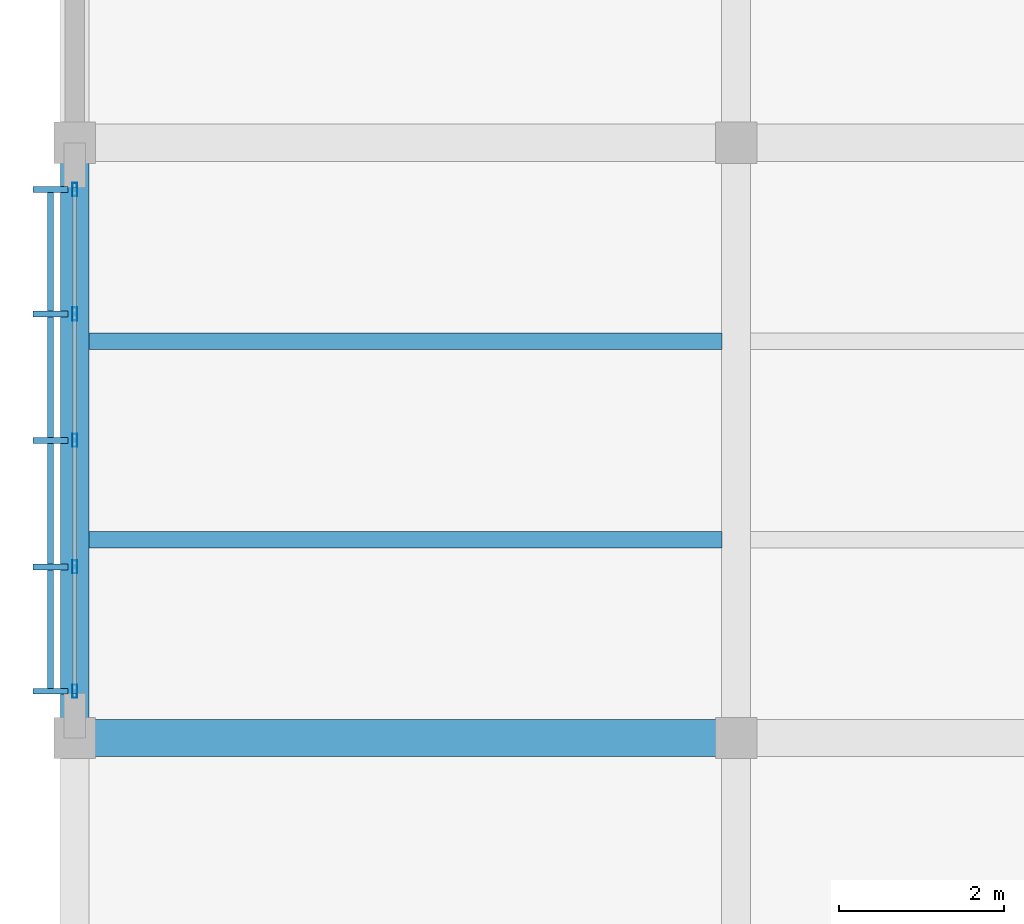
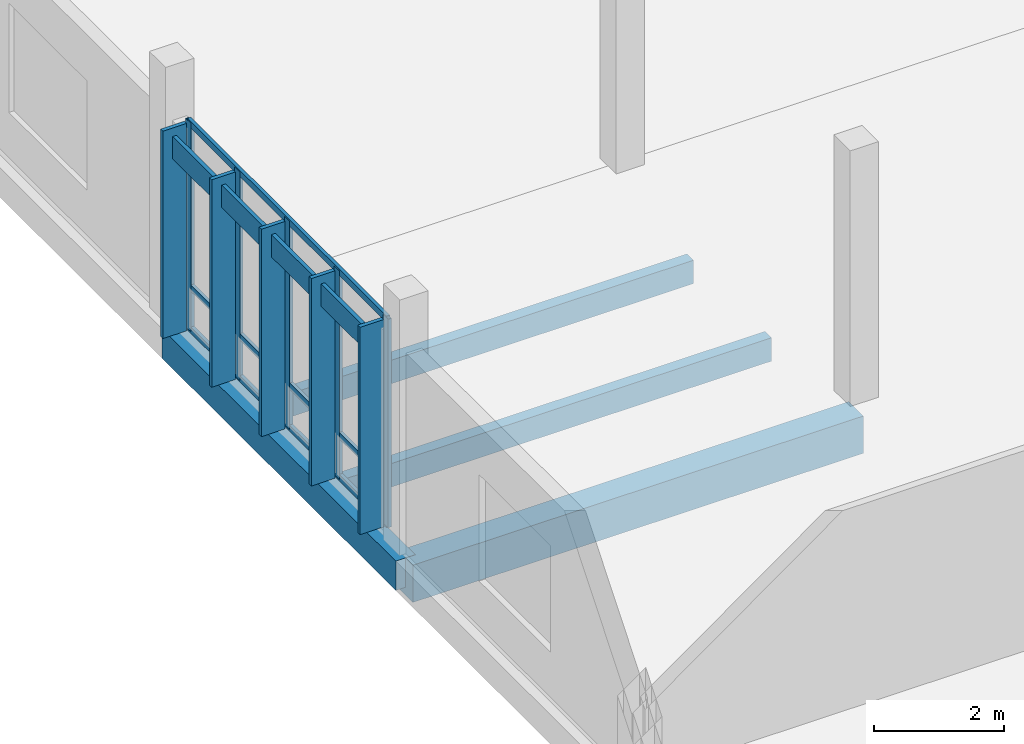
# One storey, part 61 of 177: 14 members, 4 beams, 1 element without a shape of its own.
"""IFC4 building model written with IfcOpenShell, lengths in metres."""

from ifc_helpers import new_model, si_unit, direction, frame, origin, origin_2d, place, context, subcontext, project, spatial, rectangle, hollow_rectangle, extrude, material, material_profile, profile_set, type_object, element, aggregate, save


model = new_model("IFC4")

# Units and contexts
model_context = context("Model", 3, precision=1e-05, world=origin(), true_north=direction((0.0, 1.0)))
body_context = subcontext(model_context, "Body", "Model", "MODEL_VIEW")
ifc_project = project(units=[si_unit("LENGTHUNIT", "METRE"), si_unit("AREAUNIT", "SQUARE_METRE"), si_unit("VOLUMEUNIT", "CUBIC_METRE"), si_unit("PLANEANGLEUNIT", "RADIAN"), si_unit("MASSUNIT", "GRAM", prefix="KILO")], contexts=[model_context])

# Site, building, storey
site_placement = place(None, origin())
site = spatial("IfcSite", under=ifc_project, at=site_placement, CompositionType="ELEMENT")
building_placement = place(site_placement, origin())
building = spatial("IfcBuilding", under=site, at=building_placement, Name="Chiffa Square Polytechnic", CompositionType="ELEMENT")
storey_placement = place(building_placement, frame((0.0, 0.0, 4.800048828125)))
storey = spatial("IfcBuildingStorey", under=building, at=storey_placement, Name="L01", CompositionType="ELEMENT", Elevation=4.800048828125)

# Beams
ifc_material_1 = material(Name="Concrete C35/45", Category="concrete")
ifc_material_profile_1 = material_profile(ifc_material_1, rectangle(XDim=0.35009765625, YDim=0.550048828125, at=origin_2d()), Name="RC 350x550")
ifc_profile_set_1 = profile_set([ifc_material_profile_1], Name="Concrete C35/45")
beam_type_1 = type_object("IfcBeamType", Name="BM-RC-350X550", PredefinedType="BEAM", material=ifc_profile_set_1)
beam_1_placement = place(storey_placement, frame((0.0, 72.60009765625, -0.554931640625), z_axis=(0.0, 1.0, 0.0), x_axis=(-1.0, 0.0, 0.0)))
element("IfcBeam", 1, at=beam_1_placement, inside=storey, type_object=beam_type_1, Name="Primary floor girder BM-V6-L01-Y-0000-0726", PredefinedType="BEAM", context=body_context, shape_type="SweptSolid", body=[
    extrude(rectangle(XDim=0.35009765625, YDim=0.550048828125, at=origin_2d()), origin(), (0.0, 0.0, 1.0), 7.199951171875),
])
ifc_material_profile_2 = material_profile(ifc_material_1, rectangle(XDim=0.449951171875, YDim=0.699951171875, at=origin_2d()), Name="RC 450x700")
ifc_profile_set_2 = profile_set([ifc_material_profile_2], Name="Concrete C35/45")
beam_type_2 = type_object("IfcBeamType", Name="BM-RC-450X700", PredefinedType="BEAM", material=ifc_profile_set_2)
beam_2_placement = place(storey_placement, frame((0.0, 72.60009765625, -0.630126953125), z_axis=(1.0, 0.0, 0.0), x_axis=(0.0, 1.0, 0.0)))
element("IfcBeam", 2, at=beam_2_placement, inside=storey, type_object=beam_type_2, Name="Primary floor girder BM-V6-L01-X-0000-0726", PredefinedType="BEAM", context=body_context, shape_type="SweptSolid", body=[
    extrude(rectangle(XDim=0.449951171875, YDim=0.699951171875, at=origin_2d()), origin(), (0.0, 0.0, 1.0), 8.0),
])

# Curtain wall, members
ifc_material_2 = material(Name="Aluminium EN AW-6060 T66 and glulam shading", Category="wood")
curtain_wall_type = type_object("IfcCurtainWallType", Name="CW-VERT-600X380", PredefinedType="USERDEFINED", material=ifc_material_2)
curtain_wall_placement = place(storey_placement, origin())
curtain_wall = element("IfcCurtainWall", 3, at=curtain_wall_placement, inside=storey, type_object=curtain_wall_type, Name="Curtain wall CW-V6-L01-260", ObjectType="CURTAIN WALL", PredefinedType="USERDEFINED")
ifc_material_3 = material(Name="Aluminium EN AW-6060 T66", Category="aluminium")
ifc_material_profile_3 = material_profile(ifc_material_3, hollow_rectangle(XDim=0.06005859375, YDim=0.159912109375, WallThickness=0.00390625, at=origin_2d()), Name="ALU 60x160x4")
ifc_profile_set_3 = profile_set([ifc_material_profile_3], Name="Aluminium EN AW-6060 T66")
member_type_1 = type_object("IfcMemberType", Name="CWM-ALU-65X150", PredefinedType="MULLION", material=ifc_profile_set_3)
member_1_placement = place(storey_placement, frame((0.0, 79.235107421875, 0.0), z_axis=(0.0, 0.0, 1.0), x_axis=(1.0, 0.0, 0.0)))
member_1 = element("IfcMember", 4, at=member_1_placement, type_object=member_type_1, Name="Curtain wall mullion CW-V6-L01-260-M00", PredefinedType="MULLION", context=body_context, shape_type="SweptSolid", body=[
    extrude(hollow_rectangle(XDim=0.06005859375, YDim=0.159912109375, WallThickness=0.00390625, at=origin_2d()), origin(), (0.0, 0.0, 1.0), 3.9150390625),
])
member_2_placement = place(storey_placement, frame((0.0, 77.72998046875, 0.0), z_axis=(0.0, 0.0, 1.0), x_axis=(1.0, 0.0, 0.0)))
member_2 = element("IfcMember", 5, at=member_2_placement, type_object=member_type_1, Name="Curtain wall mullion CW-V6-L01-260-M01", PredefinedType="MULLION", context=body_context, shape_type="SweptSolid", body=[
    extrude(hollow_rectangle(XDim=0.06005859375, YDim=0.159912109375, WallThickness=0.00390625, at=origin_2d()), origin(), (0.0, 0.0, 1.0), 3.9150390625),
])
member_3_placement = place(storey_placement, frame((0.0, 76.199951171875, 0.0), z_axis=(0.0, 0.0, 1.0), x_axis=(1.0, 0.0, 0.0)))
member_3 = element("IfcMember", 6, at=member_3_placement, type_object=member_type_1, Name="Curtain wall mullion CW-V6-L01-260-M02", PredefinedType="MULLION", context=body_context, shape_type="SweptSolid", body=[
    extrude(hollow_rectangle(XDim=0.06005859375, YDim=0.159912109375, WallThickness=0.00390625, at=origin_2d()), origin(), (0.0, 0.0, 1.0), 3.9150390625),
])
member_4_placement = place(storey_placement, frame((0.0, 74.669921875, 0.0), z_axis=(0.0, 0.0, 1.0), x_axis=(1.0, 0.0, 0.0)))
member_4 = element("IfcMember", 7, at=member_4_placement, type_object=member_type_1, Name="Curtain wall mullion CW-V6-L01-260-M03", PredefinedType="MULLION", context=body_context, shape_type="SweptSolid", body=[
    extrude(hollow_rectangle(XDim=0.06005859375, YDim=0.159912109375, WallThickness=0.00390625, at=origin_2d()), origin(), (0.0, 0.0, 1.0), 3.9150390625),
])
member_5_placement = place(storey_placement, frame((0.0, 73.1650390625, 0.0), z_axis=(0.0, 0.0, 1.0), x_axis=(1.0, 0.0, 0.0)))
member_5 = element("IfcMember", 8, at=member_5_placement, type_object=member_type_1, Name="Curtain wall mullion CW-V6-L01-260-M04", PredefinedType="MULLION", context=body_context, shape_type="SweptSolid", body=[
    extrude(hollow_rectangle(XDim=0.06005859375, YDim=0.159912109375, WallThickness=0.00390625, at=origin_2d()), origin(), (0.0, 0.0, 1.0), 3.9150390625),
])
ifc_material_4 = material(Name="Glulam GL28h", Category="wood")
ifc_material_profile_4 = material_profile(ifc_material_4, rectangle(XDim=0.070068359375, YDim=0.419921875, at=origin_2d()), Name="GL28h 70x420")
ifc_profile_set_4 = profile_set([ifc_material_profile_4], Name="Glulam GL28h")
member_type_2 = type_object("IfcMemberType", Name="CWM-GL-70X420", PredefinedType="MULLION", material=ifc_profile_set_4)
member_6_placement = place(storey_placement, frame((-0.2919921875, 79.235107421875, 0.010009765625), z_axis=(0.0, 0.0, 1.0), x_axis=(0.0, -1.0, 0.0)))
member_6 = element("IfcMember", 9, at=member_6_placement, type_object=member_type_2, Name="Exterior glulam solar fin CW-V6-L01-260-FN00", PredefinedType="MULLION", context=body_context, shape_type="SweptSolid", body=[
    extrude(rectangle(XDim=0.070068359375, YDim=0.419921875, at=origin_2d()), origin(), (0.0, 0.0, 1.0), 3.89501953125),
])
member_7_placement = place(storey_placement, frame((-0.2919921875, 77.72998046875, 0.010009765625), z_axis=(0.0, 0.0, 1.0), x_axis=(0.0, -1.0, 0.0)))
member_7 = element("IfcMember", 10, at=member_7_placement, type_object=member_type_2, Name="Exterior glulam solar fin CW-V6-L01-260-FN01", PredefinedType="MULLION", context=body_context, shape_type="SweptSolid", body=[
    extrude(rectangle(XDim=0.070068359375, YDim=0.419921875, at=origin_2d()), origin(), (0.0, 0.0, 1.0), 3.89501953125),
])
member_8_placement = place(storey_placement, frame((-0.2919921875, 76.199951171875, 0.010009765625), z_axis=(0.0, 0.0, 1.0), x_axis=(0.0, -1.0, 0.0)))
member_8 = element("IfcMember", 11, at=member_8_placement, type_object=member_type_2, Name="Exterior glulam solar fin CW-V6-L01-260-FN02", PredefinedType="MULLION", context=body_context, shape_type="SweptSolid", body=[
    extrude(rectangle(XDim=0.070068359375, YDim=0.419921875, at=origin_2d()), origin(), (0.0, 0.0, 1.0), 3.89501953125),
])
member_9_placement = place(storey_placement, frame((-0.2919921875, 74.669921875, 0.010009765625), z_axis=(0.0, 0.0, 1.0), x_axis=(0.0, -1.0, 0.0)))
member_9 = element("IfcMember", 12, at=member_9_placement, type_object=member_type_2, Name="Exterior glulam solar fin CW-V6-L01-260-FN03", PredefinedType="MULLION", context=body_context, shape_type="SweptSolid", body=[
    extrude(rectangle(XDim=0.070068359375, YDim=0.419921875, at=origin_2d()), origin(), (0.0, 0.0, 1.0), 3.89501953125),
])
member_10_placement = place(storey_placement, frame((-0.2919921875, 73.1650390625, 0.010009765625), z_axis=(0.0, 0.0, 1.0), x_axis=(0.0, -1.0, 0.0)))
member_10 = element("IfcMember", 13, at=member_10_placement, type_object=member_type_2, Name="Exterior glulam solar fin CW-V6-L01-260-FN04", PredefinedType="MULLION", context=body_context, shape_type="SweptSolid", body=[
    extrude(rectangle(XDim=0.070068359375, YDim=0.419921875, at=origin_2d()), origin(), (0.0, 0.0, 1.0), 3.89501953125),
])
ifc_material_profile_5 = material_profile(ifc_material_3, hollow_rectangle(XDim=0.06005859375, YDim=0.1201171875, WallThickness=0.00390625, at=origin_2d()), Name="ALU 60x120x4")
ifc_profile_set_5 = profile_set([ifc_material_profile_5], Name="Aluminium EN AW-6060 T66")
member_type_3 = type_object("IfcMemberType", Name="CWT-ALU-65X120", PredefinedType="USERDEFINED", material=ifc_profile_set_5)
member_11_placement = place(storey_placement, frame((0.0, 79.261962890625, 0.030029296875), z_axis=(0.0, -1.0, 0.0), x_axis=(1.0, 0.0, 0.0)))
member_11 = element("IfcMember", 14, at=member_11_placement, type_object=member_type_3, Name="Curtain wall transom CW-V6-L01-260-T01", ObjectType="TRANSOM", PredefinedType="USERDEFINED", context=body_context, shape_type="SweptSolid", body=[
    extrude(hollow_rectangle(XDim=0.06005859375, YDim=0.1201171875, WallThickness=0.00390625, at=origin_2d()), origin(), (0.0, 0.0, 1.0), 6.1240234375),
])
member_12_placement = place(storey_placement, frame((0.0, 79.261962890625, 0.820068359375), z_axis=(0.0, -1.0, 0.0), x_axis=(1.0, 0.0, 0.0)))
member_12 = element("IfcMember", 15, at=member_12_placement, type_object=member_type_3, Name="Curtain wall transom CW-V6-L01-260-T02", ObjectType="TRANSOM", PredefinedType="USERDEFINED", context=body_context, shape_type="SweptSolid", body=[
    extrude(hollow_rectangle(XDim=0.06005859375, YDim=0.1201171875, WallThickness=0.00390625, at=origin_2d()), origin(), (0.0, 0.0, 1.0), 6.1240234375),
])
member_13_placement = place(storey_placement, frame((0.0, 79.261962890625, 3.885009765625), z_axis=(0.0, -1.0, 0.0), x_axis=(1.0, 0.0, 0.0)))
member_13 = element("IfcMember", 16, at=member_13_placement, type_object=member_type_3, Name="Curtain wall transom CW-V6-L01-260-T03", ObjectType="TRANSOM", PredefinedType="USERDEFINED", context=body_context, shape_type="SweptSolid", body=[
    extrude(hollow_rectangle(XDim=0.06005859375, YDim=0.1201171875, WallThickness=0.00390625, at=origin_2d()), origin(), (0.0, 0.0, 1.0), 6.1240234375),
])
ifc_material_profile_6 = material_profile(ifc_material_4, rectangle(XDim=0.070068359375, YDim=0.419921875, at=origin_2d()), Name="GL28h 70x420")
ifc_profile_set_6 = profile_set([ifc_material_profile_6], Name="Glulam GL28h")
member_type_4 = type_object("IfcMemberType", Name="CWT-GL-70X420", PredefinedType="USERDEFINED", material=ifc_profile_set_6)
member_14_placement = place(storey_placement, frame((-0.2919921875, 79.235107421875, 3.534912109375), z_axis=(0.0, -1.0, 0.0), x_axis=(1.0, 0.0, 0.0)))
member_14 = element("IfcMember", 17, at=member_14_placement, type_object=member_type_4, Name="Exterior glulam brise-soleil CW-V6-L01-260-BS01", ObjectType="TRANSOM", PredefinedType="USERDEFINED", context=body_context, shape_type="SweptSolid", body=[
    extrude(rectangle(XDim=0.070068359375, YDim=0.419921875, at=origin_2d()), origin(), (0.0, 0.0, 1.0), 6.070068359375),
])
aggregate(curtain_wall, [member_1, member_6, member_2, member_7, member_3, member_8, member_4, member_9, member_5, member_10, member_11, member_12, member_13, member_14])

# Beams
ifc_material_profile_7 = material_profile(ifc_material_4, rectangle(XDim=0.199951171875, YDim=0.43994140625, at=origin_2d()), Name="GL28h 200x440")
ifc_profile_set_7 = profile_set([ifc_material_profile_7], Name="Glulam GL28h")
beam_type_3 = type_object("IfcBeamType", Name="JST-GL-200X440", PredefinedType="JOIST", material=ifc_profile_set_7)
for number, where, z_axis, x_axis, name in (
    (18, (0.173095703125, 75.0, -0.5), (1.0, 0.0, 0.0), (0.0, 1.0, 0.0), "Secondary floor joist JST-V6-L01-0000-0750"),
    (19, (0.173095703125, 77.39990234375, -0.5), (1.0, 0.0, 0.0), (0.0, 1.0, 0.0), "Secondary floor joist JST-V6-L01-0000-0774"),
):
    element("IfcBeam", number, at=place(storey_placement, frame(where, z_axis=z_axis, x_axis=x_axis)), inside=storey, type_object=beam_type_3, Name=name, PredefinedType="JOIST", context=body_context, shape_type="SweptSolid", body=[
        extrude(rectangle(XDim=0.199951171875, YDim=0.43994140625, at=origin_2d()), origin(), (0.0, 0.0, 1.0), 7.65380859375),
    ])

save(model, "model.ifc")
